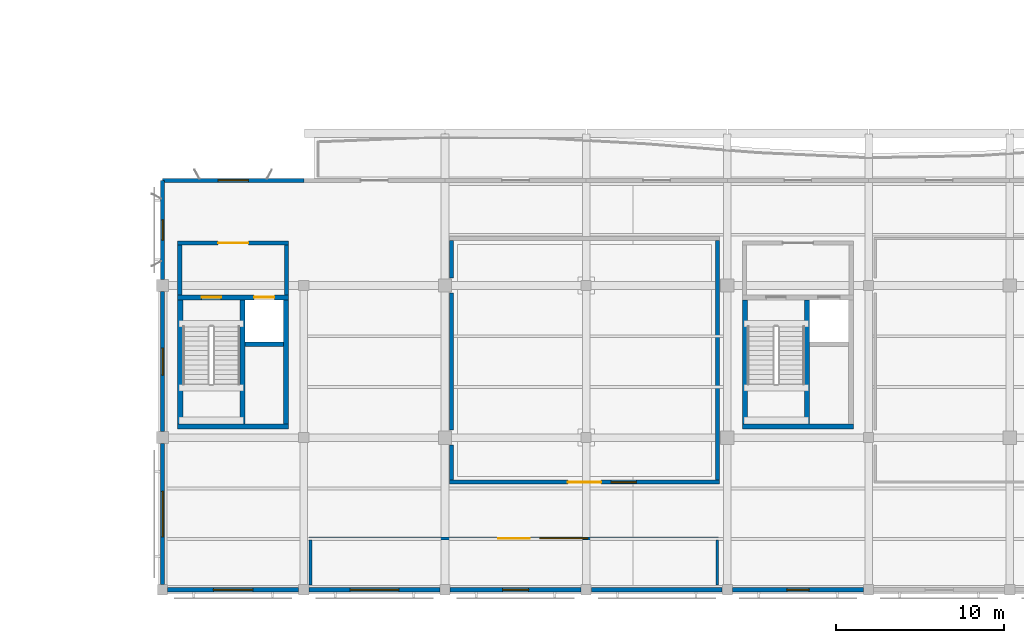
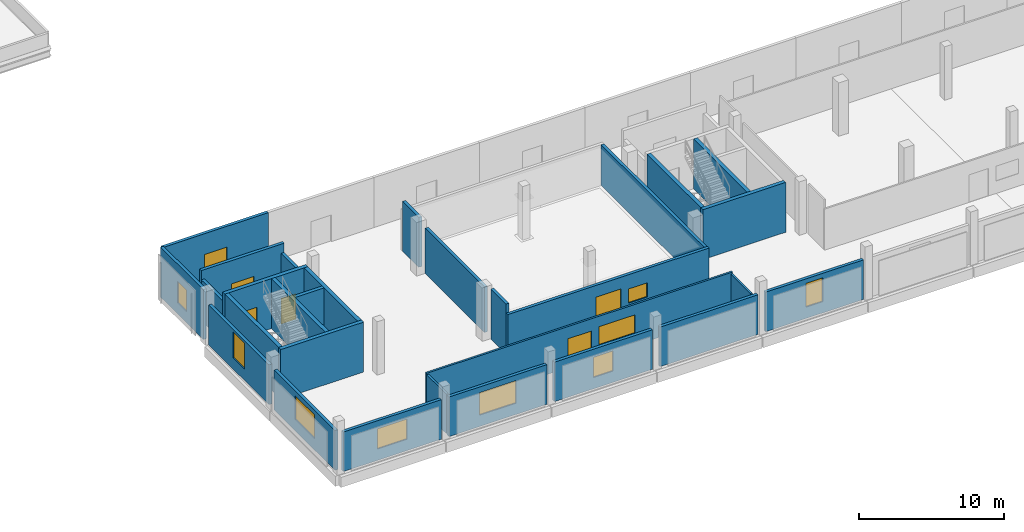
# One storey, part 13 of 34: 29 walls, 10 windows, 5 doors, 15 openings.
"""IFC4 building model written with IfcOpenShell, lengths in metres."""

from ifc_helpers import new_model, si_unit, direction, frame, frame_2d, origin, place, context, subcontext, project, spatial, rectangle, extrude, material, layer, layer_set, type_object, element, fill, save


model = new_model("IFC4")

# Units and contexts
model_context = context("Model", 3, precision=1e-05, world=origin(), true_north=direction((0.0, 1.0)))
body_context = subcontext(model_context, "Body", "Model", "MODEL_VIEW")
ifc_project = project(units=[si_unit("LENGTHUNIT", "METRE"), si_unit("AREAUNIT", "SQUARE_METRE"), si_unit("VOLUMEUNIT", "CUBIC_METRE"), si_unit("PLANEANGLEUNIT", "RADIAN"), si_unit("MASSUNIT", "GRAM", prefix="KILO")], contexts=[model_context])

# Site, building, storey
site_placement = place(None, origin())
site = spatial("IfcSite", under=ifc_project, at=site_placement, CompositionType="ELEMENT")
building_placement = place(site_placement, origin())
building = spatial("IfcBuilding", under=site, at=building_placement, Name="Khurvash Pelagic Aquarium", CompositionType="ELEMENT")
storey_placement = place(building_placement, frame((0.0, 0.0, 15.60009765625)))
storey = spatial("IfcBuildingStorey", under=building, at=storey_placement, Name="L03", CompositionType="ELEMENT", Elevation=15.60009765625)

# Wall, opening, window
ifc_material_1 = material(Name="Glass-fibre reinforced concrete C40/50", Category="concrete")
ifc_layer_1 = layer(ifc_material_1, 0.239990234375)
ifc_layer_set_1 = layer_set([ifc_layer_1], Name="Glass-fibre reinforced concrete C40/50")
wall_type_1 = type_object("IfcWallType", Name="EW-240", PredefinedType="STANDARD", material=ifc_layer_set_1)
wall_1_placement = place(storey_placement, frame((25.5048828125, 2.60009765625, 0.0), z_axis=(0.0, 0.0, 1.0), x_axis=(1.0, 0.0, 0.0)))
wall_1 = element("IfcWall", 1, at=wall_1_placement, inside=storey, type_object=wall_type_1, Name="L03 Exterior Architectural Facade Wall EW-240 0107", PredefinedType="STANDARD", context=body_context, shape_type="SweptSolid", body=[
    extrude(rectangle(XDim=7.7900390625, YDim=0.239990234375, at=frame_2d((3.89501953125, 0.0))), origin(), (0.0, 0.0, 1.0), 3.329833984375),
])
opening_1_placement = place(wall_1_placement, frame((2.719970703125, 0.0, 0.949951171875)))
opening_1 = element("IfcOpeningElement", 2, at=opening_1_placement, cuts=wall_1, Name="Opening WN-24", PredefinedType="OPENING", context=body_context, shape_type="SweptSolid", body=[
    extrude(rectangle(XDim=2.35009765625, YDim=1.699951171875, at=frame_2d((1.175048828125, 0.85009765625))), frame((0.0, 0.1298828125, 0.0), z_axis=(0.0, -1.0, 0.0), x_axis=(1.0, 0.0, 0.0)), (0.0, 0.0, 1.0), 0.260009765625),
])
ifc_material_2 = material(Name="Thermally broken aluminium and low-E glass", Category="aluminium")
window_type_1 = type_object("IfcWindowType", Name="WN-24", PartitioningType="SINGLE_PANEL", PredefinedType="WINDOW", material=ifc_material_2)
window_1_placement = place(opening_1_placement, origin())
window_1 = element("IfcWindow", 3, at=window_1_placement, inside=storey, type_object=window_type_1, Name="L03 Facade Window WN-24 0069", OverallHeight=1.699951171875, OverallWidth=2.35009765625, PartitioningType="SINGLE_PANEL", PredefinedType="WINDOW", context=body_context, shape_type="SweptSolid", body=[
    extrude(rectangle(XDim=2.35009765625, YDim=1.699951171875, at=frame_2d((1.175048828125, 0.85009765625))), frame((0.0, 0.030029296875, 0.0), z_axis=(0.0, -1.0, 0.0), x_axis=(1.0, 0.0, 0.0)), (0.0, 0.0, 1.0), 0.06005859375),
])
fill(opening_1, window_1)

wall_2_placement = place(storey_placement, frame((33.905029296875, 2.60009765625, 0.0), z_axis=(0.0, 0.0, 1.0), x_axis=(1.0, 0.0, 0.0)))
wall_2 = element("IfcWall", 4, at=wall_2_placement, inside=storey, type_object=wall_type_1, Name="L03 Exterior Architectural Facade Wall EW-240 0108", PredefinedType="STANDARD", context=body_context, shape_type="SweptSolid", body=[
    extrude(rectangle(XDim=7.7900390625, YDim=0.239990234375, at=frame_2d((3.89501953125, 0.0))), origin(), (0.0, 0.0, 1.0), 3.329833984375),
])
opening_2_placement = place(wall_2_placement, frame((2.445068359375, 0.0, 0.949951171875)))
opening_2 = element("IfcOpeningElement", 5, at=opening_2_placement, cuts=wall_2, Name="Opening WN-26", PredefinedType="OPENING", context=body_context, shape_type="SweptSolid", body=[
    extrude(rectangle(XDim=2.89990234375, YDim=1.89990234375, at=frame_2d((1.449951171875, 0.949951171875))), frame((0.0, 0.1298828125, 0.0), z_axis=(0.0, -1.0, 0.0), x_axis=(1.0, 0.0, 0.0)), (0.0, 0.0, 1.0), 0.260009765625),
])
window_type_2 = type_object("IfcWindowType", Name="WN-26", PartitioningType="SINGLE_PANEL", PredefinedType="WINDOW", material=ifc_material_2)
window_2_placement = place(opening_2_placement, origin())
window_2 = element("IfcWindow", 6, at=window_2_placement, inside=storey, type_object=window_type_2, Name="L03 Facade Window WN-26 0070", OverallHeight=1.89990234375, OverallWidth=2.89990234375, PartitioningType="SINGLE_PANEL", PredefinedType="WINDOW", context=body_context, shape_type="SweptSolid", body=[
    extrude(rectangle(XDim=2.89990234375, YDim=1.89990234375, at=frame_2d((1.449951171875, 0.949951171875))), frame((0.0, 0.030029296875, 0.0), z_axis=(0.0, -1.0, 0.0), x_axis=(1.0, 0.0, 0.0)), (0.0, 0.0, 1.0), 0.06005859375),
])
fill(opening_2, window_2)

wall_3_placement = place(storey_placement, frame((42.304931640625, 2.60009765625, 0.0), z_axis=(0.0, 0.0, 1.0), x_axis=(1.0, 0.0, 0.0)))
wall_3 = element("IfcWall", 7, at=wall_3_placement, inside=storey, type_object=wall_type_1, Name="L03 Exterior Architectural Facade Wall EW-240 0109", PredefinedType="STANDARD", context=body_context, shape_type="SweptSolid", body=[
    extrude(rectangle(XDim=7.7900390625, YDim=0.239990234375, at=frame_2d((3.89501953125, 0.0))), origin(), (0.0, 0.0, 1.0), 3.329833984375),
])
opening_3_placement = place(wall_3_placement, frame((3.1201171875, 0.0, 0.949951171875)))
opening_3 = element("IfcOpeningElement", 8, at=opening_3_placement, cuts=wall_3, Name="Opening WN-28", PredefinedType="OPENING", context=body_context, shape_type="SweptSolid", body=[
    extrude(rectangle(XDim=1.550048828125, YDim=1.699951171875, at=frame_2d((0.77490234375, 0.85009765625))), frame((0.0, 0.1298828125, 0.0), z_axis=(0.0, -1.0, 0.0), x_axis=(1.0, 0.0, 0.0)), (0.0, 0.0, 1.0), 0.260009765625),
])
window_type_3 = type_object("IfcWindowType", Name="WN-28", PartitioningType="SINGLE_PANEL", PredefinedType="WINDOW", material=ifc_material_2)
window_3_placement = place(opening_3_placement, origin())
window_3 = element("IfcWindow", 9, at=window_3_placement, inside=storey, type_object=window_type_3, Name="L03 Facade Window WN-28 0071", OverallHeight=1.699951171875, OverallWidth=1.550048828125, PartitioningType="SINGLE_PANEL", PredefinedType="WINDOW", context=body_context, shape_type="SweptSolid", body=[
    extrude(rectangle(XDim=1.550048828125, YDim=1.699951171875, at=frame_2d((0.77490234375, 0.85009765625))), frame((0.0, 0.030029296875, 0.0), z_axis=(0.0, -1.0, 0.0), x_axis=(1.0, 0.0, 0.0)), (0.0, 0.0, 1.0), 0.06005859375),
])
fill(opening_3, window_3)

# Wall
wall_4_placement = place(storey_placement, frame((50.705078125, 2.60009765625, 0.0), z_axis=(0.0, 0.0, 1.0), x_axis=(1.0, 0.0, 0.0)))
element("IfcWall", 10, at=wall_4_placement, inside=storey, type_object=wall_type_1, Name="L03 Exterior Architectural Facade Wall EW-240 0110", PredefinedType="STANDARD", context=body_context, shape_type="SweptSolid", body=[
    extrude(rectangle(XDim=7.7900390625, YDim=0.239990234375, at=frame_2d((3.89501953125, 0.0))), origin(), (0.0, 0.0, 1.0), 3.329833984375),
])

# Wall, opening, window
wall_5_placement = place(storey_placement, frame((59.10498046875, 2.60009765625, 0.0), z_axis=(0.0, 0.0, 1.0), x_axis=(1.0, 0.0, 0.0)))
wall_5 = element("IfcWall", 11, at=wall_5_placement, inside=storey, type_object=wall_type_1, Name="L03 Exterior Architectural Facade Wall EW-240 0111", PredefinedType="STANDARD", context=body_context, shape_type="SweptSolid", body=[
    extrude(rectangle(XDim=7.7900390625, YDim=0.239990234375, at=frame_2d((3.89501953125, 0.0))), origin(), (0.0, 0.0, 1.0), 3.329833984375),
])
opening_4_placement = place(wall_5_placement, frame((3.235107421875, 0.0, 0.949951171875)))
opening_4 = element("IfcOpeningElement", 12, at=opening_4_placement, cuts=wall_5, Name="Opening WN-32", PredefinedType="OPENING", context=body_context, shape_type="SweptSolid", body=[
    extrude(rectangle(XDim=1.320068359375, YDim=2.0, at=frame_2d((0.66015625, 1.0))), frame((0.0, 0.1298828125, 0.0), z_axis=(0.0, -1.0, 0.0), x_axis=(1.0, 0.0, 0.0)), (0.0, 0.0, 1.0), 0.260009765625),
])
window_type_4 = type_object("IfcWindowType", Name="WN-32", PartitioningType="SINGLE_PANEL", PredefinedType="WINDOW", material=ifc_material_2)
window_4_placement = place(opening_4_placement, origin())
window_4 = element("IfcWindow", 13, at=window_4_placement, inside=storey, type_object=window_type_4, Name="L03 Facade Window WN-32 0072", OverallHeight=2.0, OverallWidth=1.320068359375, PartitioningType="SINGLE_PANEL", PredefinedType="WINDOW", context=body_context, shape_type="SweptSolid", body=[
    extrude(rectangle(XDim=1.320068359375, YDim=2.0, at=frame_2d((0.66015625, 1.0))), frame((0.0, 0.030029296875, 0.0), z_axis=(0.0, -1.0, 0.0), x_axis=(1.0, 0.0, 0.0)), (0.0, 0.0, 1.0), 0.06005859375),
])
fill(opening_4, window_4)

wall_6_placement = place(storey_placement, frame((33.60009765625, 26.949951171875, 0.0), z_axis=(0.0, 0.0, 1.0), x_axis=(-1.0, 0.0, 0.0)))
wall_6 = element("IfcWall", 14, at=wall_6_placement, inside=storey, type_object=wall_type_1, Name="L03 Exterior Architectural Facade Wall EW-240 0129", PredefinedType="STANDARD", context=body_context, shape_type="SweptSolid", body=[
    extrude(rectangle(XDim=8.400146484375, YDim=0.239990234375, at=frame_2d((4.2001953125, 0.0))), origin(), (0.0, 0.0, 1.0), 4.199951171875),
])
opening_5_placement = place(wall_6_placement, frame((3.300048828125, 0.0, 0.949951171875)))
opening_5 = element("IfcOpeningElement", 15, at=opening_5_placement, cuts=wall_6, Name="Opening WN-13", PredefinedType="OPENING", context=body_context, shape_type="SweptSolid", body=[
    extrude(rectangle(XDim=1.800048828125, YDim=1.5, at=frame_2d((0.89990234375, 0.75))), frame((0.0, 0.1298828125, 0.0), z_axis=(0.0, -1.0, 0.0), x_axis=(1.0, 0.0, 0.0)), (0.0, 0.0, 1.0), 0.260009765625),
])
window_type_5 = type_object("IfcWindowType", Name="WN-13", PartitioningType="SINGLE_PANEL", PredefinedType="WINDOW", material=ifc_material_2)
window_5_placement = place(opening_5_placement, origin())
window_5 = element("IfcWindow", 16, at=window_5_placement, inside=storey, type_object=window_type_5, Name="L03 Facade Window WN-13 0080", OverallHeight=1.5, OverallWidth=1.800048828125, PartitioningType="SINGLE_PANEL", PredefinedType="WINDOW", context=body_context, shape_type="SweptSolid", body=[
    extrude(rectangle(XDim=1.800048828125, YDim=1.5, at=frame_2d((0.89990234375, 0.75))), frame((0.0, 0.030029296875, 0.0), z_axis=(0.0, -1.0, 0.0), x_axis=(1.0, 0.0, 0.0)), (0.0, 0.0, 1.0), 0.06005859375),
])
fill(opening_5, window_5)

wall_7_placement = place(storey_placement, frame((25.199951171875, 26.949951171875, 0.0), z_axis=(0.0, 0.0, 1.0), x_axis=(0.0, -1.0, 0.0)))
wall_7 = element("IfcWall", 17, at=wall_7_placement, inside=storey, type_object=wall_type_1, Name="L03 Exterior Architectural Facade Wall EW-240 0130", PredefinedType="STANDARD", context=body_context, shape_type="SweptSolid", body=[
    extrude(rectangle(XDim=5.89501953125, YDim=0.239990234375, at=frame_2d((2.947509765625, 0.0))), origin(), (0.0, 0.0, 1.0), 4.199951171875),
])
opening_6_placement = place(wall_7_placement, frame((2.346923828125, 0.0, 0.949951171875)))
opening_6 = element("IfcOpeningElement", 18, at=opening_6_placement, cuts=wall_7, Name="Opening WN-05", PredefinedType="OPENING", context=body_context, shape_type="SweptSolid", body=[
    extrude(rectangle(XDim=1.199951171875, YDim=1.800048828125, at=frame_2d((0.60009765625, 0.89990234375))), frame((0.0, 0.1298828125, 0.0), z_axis=(0.0, -1.0, 0.0), x_axis=(1.0, 0.0, 0.0)), (0.0, 0.0, 1.0), 0.260009765625),
])
window_type_6 = type_object("IfcWindowType", Name="WN-05", PartitioningType="SINGLE_PANEL", PredefinedType="WINDOW", material=ifc_material_2)
window_6_placement = place(opening_6_placement, origin())
window_6 = element("IfcWindow", 19, at=window_6_placement, inside=storey, type_object=window_type_6, Name="L03 Facade Window WN-05 0081", OverallHeight=1.800048828125, OverallWidth=1.199951171875, PartitioningType="SINGLE_PANEL", PredefinedType="WINDOW", context=body_context, shape_type="SweptSolid", body=[
    extrude(rectangle(XDim=1.199951171875, YDim=1.800048828125, at=frame_2d((0.60009765625, 0.89990234375))), frame((0.0, 0.030029296875, 0.0), z_axis=(0.0, -1.0, 0.0), x_axis=(1.0, 0.0, 0.0)), (0.0, 0.0, 1.0), 0.06005859375),
])
fill(opening_6, window_6)

wall_8_placement = place(storey_placement, frame((25.199951171875, 20.344970703125, 0.0), z_axis=(0.0, 0.0, 1.0), x_axis=(0.0, -1.0, 0.0)))
wall_8 = element("IfcWall", 20, at=wall_8_placement, inside=storey, type_object=wall_type_1, Name="L03 Exterior Architectural Facade Wall EW-240 0131", PredefinedType="STANDARD", context=body_context, shape_type="SweptSolid", body=[
    extrude(rectangle(XDim=8.340087890625, YDim=0.239990234375, at=frame_2d((4.169921875, 0.0))), origin(), (0.0, 0.0, 1.0), 3.349853515625),
])
opening_7_placement = place(wall_8_placement, frame((3.3701171875, 0.0, 0.949951171875)))
opening_7 = element("IfcOpeningElement", 21, at=opening_7_placement, cuts=wall_8, Name="Opening WN-07", PredefinedType="OPENING", context=body_context, shape_type="SweptSolid", body=[
    extrude(rectangle(XDim=1.60009765625, YDim=2.199951171875, at=frame_2d((0.800048828125, 1.10009765625))), frame((0.0, 0.1298828125, 0.0), z_axis=(0.0, -1.0, 0.0), x_axis=(1.0, 0.0, 0.0)), (0.0, 0.0, 1.0), 0.260009765625),
])
window_type_7 = type_object("IfcWindowType", Name="WN-07", PartitioningType="SINGLE_PANEL", PredefinedType="WINDOW", material=ifc_material_2)
window_7_placement = place(opening_7_placement, origin())
window_7 = element("IfcWindow", 22, at=window_7_placement, inside=storey, type_object=window_type_7, Name="L03 Facade Window WN-07 0082", OverallHeight=2.199951171875, OverallWidth=1.60009765625, PartitioningType="SINGLE_PANEL", PredefinedType="WINDOW", context=body_context, shape_type="SweptSolid", body=[
    extrude(rectangle(XDim=1.60009765625, YDim=2.199951171875, at=frame_2d((0.800048828125, 1.10009765625))), frame((0.0, 0.030029296875, 0.0), z_axis=(0.0, -1.0, 0.0), x_axis=(1.0, 0.0, 0.0)), (0.0, 0.0, 1.0), 0.06005859375),
])
fill(opening_7, window_7)

wall_9_placement = place(storey_placement, frame((25.199951171875, 11.294921875, 0.0), z_axis=(0.0, 0.0, 1.0), x_axis=(0.0, -1.0, 0.0)))
wall_9 = element("IfcWall", 23, at=wall_9_placement, inside=storey, type_object=wall_type_1, Name="L03 Exterior Architectural Facade Wall EW-240 0132", PredefinedType="STANDARD", context=body_context, shape_type="SweptSolid", body=[
    extrude(rectangle(XDim=8.389892578125, YDim=0.239990234375, at=frame_2d((4.19482421875, 0.0))), origin(), (0.0, 0.0, 1.0), 3.349853515625),
])
opening_8_placement = place(wall_9_placement, frame((2.844970703125, 0.0, 0.949951171875)))
opening_8 = element("IfcOpeningElement", 24, at=opening_8_placement, cuts=wall_9, Name="Opening WN-09", PredefinedType="OPENING", context=body_context, shape_type="SweptSolid", body=[
    extrude(rectangle(XDim=2.699951171875, YDim=2.0, at=frame_2d((1.35009765625, 1.0))), frame((0.0, 0.1298828125, 0.0), z_axis=(0.0, -1.0, 0.0), x_axis=(1.0, 0.0, 0.0)), (0.0, 0.0, 1.0), 0.260009765625),
])
window_type_8 = type_object("IfcWindowType", Name="WN-09", PartitioningType="SINGLE_PANEL", PredefinedType="WINDOW", material=ifc_material_2)
window_8_placement = place(opening_8_placement, origin())
window_8 = element("IfcWindow", 25, at=window_8_placement, inside=storey, type_object=window_type_8, Name="L03 Facade Window WN-09 0083", OverallHeight=2.0, OverallWidth=2.699951171875, PartitioningType="SINGLE_PANEL", PredefinedType="WINDOW", context=body_context, shape_type="SweptSolid", body=[
    extrude(rectangle(XDim=2.699951171875, YDim=2.0, at=frame_2d((1.35009765625, 1.0))), frame((0.0, 0.030029296875, 0.0), z_axis=(0.0, -1.0, 0.0), x_axis=(1.0, 0.0, 0.0)), (0.0, 0.0, 1.0), 0.06005859375),
])
fill(opening_8, window_8)

# Wall, openings, door, window
ifc_material_3 = material(Name="AAC blockwork", Category="masonry")
ifc_layer_2 = layer(ifc_material_3, 0.155029296875)
ifc_layer_set_2 = layer_set([ifc_layer_2], Name="AAC blockwork")
wall_type_2 = type_object("IfcWallType", Name="PW-155", PredefinedType="PARTITIONING", material=ifc_layer_set_2)
wall_10_placement = place(storey_placement, frame((33.922119140625, 5.64990234375, 0.0), z_axis=(0.0, 0.0, 1.0), x_axis=(1.0, 0.0, 0.0)))
wall_10 = element("IfcWall", 26, at=wall_10_placement, inside=storey, type_object=wall_type_2, Name="L03 Abyssal Trench Bioluminescence Gallery Partition Wall PW-155", PredefinedType="PARTITIONING", context=body_context, shape_type="SweptSolid", body=[
    extrude(rectangle(XDim=24.35595703125, YDim=0.155029296875, at=frame_2d((12.177978515625, 0.0))), origin(), (0.0, 0.0, 1.0), 3.449951171875),
])
opening_9_placement = place(wall_10_placement, frame((11.238037109375, 0.0, 0.0)))
opening_9 = element("IfcOpeningElement", 27, at=opening_9_placement, cuts=wall_10, Name="Opening ID-35", PredefinedType="OPENING", context=body_context, shape_type="SweptSolid", body=[
    extrude(rectangle(XDim=1.8798828125, YDim=2.419921875, at=frame_2d((0.93994140625, 1.2099609375))), frame((0.0, 0.08740234375, 0.0), z_axis=(0.0, -1.0, 0.0), x_axis=(1.0, 0.0, 0.0)), (0.0, 0.0, 1.0), 0.175048828125),
])
opening_10_placement = place(wall_10_placement, frame((13.718017578125, 0.0, 1.0498046875)))
opening_10 = element("IfcOpeningElement", 28, at=opening_10_placement, cuts=wall_10, Name="Opening IW-18", PredefinedType="OPENING", context=body_context, shape_type="SweptSolid", body=[
    extrude(rectangle(XDim=2.85009765625, YDim=1.52001953125, at=frame_2d((1.425048828125, 0.760009765625))), frame((0.0, 0.08740234375, 0.0), z_axis=(0.0, -1.0, 0.0), x_axis=(1.0, 0.0, 0.0)), (0.0, 0.0, 1.0), 0.175048828125),
])
ifc_material_4 = material(Name="Abyssal hall double door", Category="wood")
door_type_1 = type_object("IfcDoorType", Name="ID-35", OperationType="DOUBLE_DOOR_SINGLE_SWING", PredefinedType="DOOR", material=ifc_material_4)
door_1_placement = place(opening_9_placement, frame((1.8798828125, 0.0, 0.0), z_axis=(0.0, 0.0, 1.0), x_axis=(-1.0, 0.0, 0.0)))
door_1 = element("IfcDoor", 29, at=door_1_placement, inside=storey, type_object=door_type_1, Name="DR-0198", OperationType="DOUBLE_DOOR_SINGLE_SWING", OverallHeight=2.419921875, OverallWidth=1.8798828125, PredefinedType="DOOR", context=body_context, shape_type="SweptSolid", body=[
    extrude(rectangle(XDim=1.8798828125, YDim=2.419921875, at=frame_2d((0.93994140625, 1.2099609375))), frame((0.0, 0.02490234375, 0.0), z_axis=(0.0, -1.0, 0.0), x_axis=(1.0, 0.0, 0.0)), (0.0, 0.0, 1.0), 0.050048828125),
])
fill(opening_9, door_1)
ifc_material_5 = material(Name="Acoustic laminated interior observation glazing", Category="glass")
window_type_9 = type_object("IfcWindowType", Name="IW-18", PartitioningType="SINGLE_PANEL", PredefinedType="WINDOW", material=ifc_material_5)
window_9_placement = place(opening_10_placement, origin())
window_9 = element("IfcWindow", 30, at=window_9_placement, inside=storey, type_object=window_type_9, Name="L03 Abyssal Trench Bioluminescence Gallery Observation Window IW-18", OverallHeight=1.52001953125, OverallWidth=2.85009765625, PartitioningType="SINGLE_PANEL", PredefinedType="WINDOW", context=body_context, shape_type="SweptSolid", body=[
    extrude(rectangle(XDim=2.85009765625, YDim=1.52001953125, at=frame_2d((1.425048828125, 0.760009765625))), frame((0.0, 0.030029296875, 0.0), z_axis=(0.0, -1.0, 0.0), x_axis=(1.0, 0.0, 0.0)), (0.0, 0.0, 1.0), 0.06005859375),
])
fill(opening_10, window_9)

# Walls
for number, where, z_axis, x_axis, name in (
    (31, (58.199951171875, 2.876953125, 0.0), (0.0, 0.0, 1.0), (0.0, 1.0, 0.0), "L03 Abyssal Trench Bioluminescence Gallery Partition Wall PW-155"),
    (32, (34.0, 2.876953125, 0.0), (0.0, 0.0, 1.0), (0.0, 1.0, 0.0), "L03 Abyssal Trench Bioluminescence Gallery Partition Wall PW-155"),
):
    element("IfcWall", number, at=place(storey_placement, frame(where, z_axis=z_axis, x_axis=x_axis)), inside=storey, type_object=wall_type_2, Name=name, PredefinedType="PARTITIONING", context=body_context, shape_type="SweptSolid", body=[
        extrude(rectangle(XDim=2.696044921875, YDim=0.155029296875, at=frame_2d((1.34814453125, 0.0))), origin(), (0.0, 0.0, 1.0), 3.329833984375),
    ])

# Wall, openings, door, window
ifc_layer_3 = layer(ifc_material_3, 0.235107421875)
ifc_layer_set_3 = layer_set([ifc_layer_3], Name="AAC blockwork")
wall_type_3 = type_object("IfcWallType", Name="PW-235", PredefinedType="PARTITIONING", material=ifc_layer_set_3)
wall_11_placement = place(storey_placement, frame((42.281982421875, 9.0, 0.0), z_axis=(0.0, 0.0, 1.0), x_axis=(1.0, 0.0, 0.0)))
wall_11 = element("IfcWall", 33, at=wall_11_placement, inside=storey, type_object=wall_type_3, Name="L03 Hydrothermal Vent Ecosystems Gallery Partition Wall PW-235", PredefinedType="PARTITIONING", context=body_context, shape_type="SweptSolid", body=[
    extrude(rectangle(XDim=16.0361328125, YDim=0.235107421875, at=frame_2d((8.01806640625, 0.0))), origin(), (0.0, 0.0, 1.0), 3.449951171875),
])
opening_11_placement = place(wall_11_placement, frame((7.028076171875, 0.0, 0.0)))
opening_11 = element("IfcOpeningElement", 34, at=opening_11_placement, cuts=wall_11, Name="Opening ID-36", PredefinedType="OPENING", context=body_context, shape_type="SweptSolid", body=[
    extrude(rectangle(XDim=1.97998046875, YDim=2.4599609375, at=frame_2d((0.989990234375, 1.22998046875))), frame((0.0, 0.12744140625, 0.0), z_axis=(0.0, -1.0, 0.0), x_axis=(1.0, 0.0, 0.0)), (0.0, 0.0, 1.0), 0.255126953125),
])
opening_12_placement = place(wall_11_placement, frame((9.60791015625, 0.0, 1.0498046875)))
opening_12 = element("IfcOpeningElement", 35, at=opening_12_placement, cuts=wall_11, Name="Opening IW-01", PredefinedType="OPENING", context=body_context, shape_type="SweptSolid", body=[
    extrude(rectangle(XDim=1.5, YDim=1.199951171875, at=frame_2d((0.75, 0.60009765625))), frame((0.0, 0.12744140625, 0.0), z_axis=(0.0, -1.0, 0.0), x_axis=(1.0, 0.0, 0.0)), (0.0, 0.0, 1.0), 0.255126953125),
])
ifc_material_6 = material(Name="Wetlands gallery double door", Category="wood")
door_type_2 = type_object("IfcDoorType", Name="ID-36", OperationType="DOUBLE_DOOR_SINGLE_SWING", PredefinedType="DOOR", material=ifc_material_6)
door_2_placement = place(opening_11_placement, origin())
door_2 = element("IfcDoor", 36, at=door_2_placement, inside=storey, type_object=door_type_2, Name="DR-0199", OperationType="DOUBLE_DOOR_SINGLE_SWING", OverallHeight=2.4599609375, OverallWidth=1.97998046875, PredefinedType="DOOR", context=body_context, shape_type="SweptSolid", body=[
    extrude(rectangle(XDim=1.97998046875, YDim=2.4599609375, at=frame_2d((0.989990234375, 1.22998046875))), frame((0.0, 0.02490234375, 0.0), z_axis=(0.0, -1.0, 0.0), x_axis=(1.0, 0.0, 0.0)), (0.0, 0.0, 1.0), 0.050048828125),
])
fill(opening_11, door_2)
window_type_10 = type_object("IfcWindowType", Name="IW-01", PartitioningType="SINGLE_PANEL", PredefinedType="WINDOW", material=ifc_material_5)
window_10_placement = place(opening_12_placement, origin())
window_10 = element("IfcWindow", 37, at=window_10_placement, inside=storey, type_object=window_type_10, Name="L03 Hydrothermal Vent Ecosystems Gallery Observation Window IW-01", OverallHeight=1.199951171875, OverallWidth=1.5, PartitioningType="SINGLE_PANEL", PredefinedType="WINDOW", context=body_context, shape_type="SweptSolid", body=[
    extrude(rectangle(XDim=1.5, YDim=1.199951171875, at=frame_2d((0.75, 0.60009765625))), frame((0.0, 0.030029296875, 0.0), z_axis=(0.0, -1.0, 0.0), x_axis=(1.0, 0.0, 0.0)), (0.0, 0.0, 1.0), 0.06005859375),
])
fill(opening_12, window_10)

# Walls
wall_12_placement = place(storey_placement, frame((58.199951171875, 9.116943359375, 0.0), z_axis=(0.0, 0.0, 1.0), x_axis=(0.0, 1.0, 0.0)))
element("IfcWall", 38, at=wall_12_placement, inside=storey, type_object=wall_type_3, Name="L03 Hydrothermal Vent Ecosystems Gallery Partition Wall PW-235", PredefinedType="PARTITIONING", context=body_context, shape_type="SweptSolid", body=[
    extrude(rectangle(XDim=14.26611328125, YDim=0.235107421875, at=frame_2d((7.133056640625, 0.0))), origin(), (0.0, 0.0, 1.0), 3.429931640625),
])
wall_13_placement = place(storey_placement, frame((42.39990234375, 9.116943359375, 0.0), z_axis=(0.0, 0.0, 1.0), x_axis=(0.0, 1.0, 0.0)))
element("IfcWall", 39, at=wall_13_placement, inside=storey, type_object=wall_type_3, Name="L03 Hydrothermal Vent Ecosystems Gallery Partition Wall PW-235", PredefinedType="PARTITIONING", context=body_context, shape_type="SweptSolid", body=[
    extrude(rectangle(XDim=2.093017578125, YDim=0.235107421875, at=frame_2d((1.04638671875, 0.0))), origin(), (0.0, 0.0, 1.0), 4.199951171875),
])
wall_14_placement = place(storey_placement, frame((42.39990234375, 12.090087890625, 0.0), z_axis=(0.0, 0.0, 1.0), x_axis=(0.0, 1.0, 0.0)))
element("IfcWall", 40, at=wall_14_placement, inside=storey, type_object=wall_type_3, Name="L03 Hydrothermal Vent Ecosystems Gallery Partition Wall PW-235", PredefinedType="PARTITIONING", context=body_context, shape_type="SweptSolid", body=[
    extrude(rectangle(XDim=8.169921875, YDim=0.235107421875, at=frame_2d((4.0849609375, 0.0))), origin(), (0.0, 0.0, 1.0), 3.83984375),
])
wall_15_placement = place(storey_placement, frame((42.39990234375, 21.139892578125, 0.0), z_axis=(0.0, 0.0, 1.0), x_axis=(0.0, 1.0, 0.0)))
element("IfcWall", 41, at=wall_15_placement, inside=storey, type_object=wall_type_3, Name="L03 Hydrothermal Vent Ecosystems Gallery Partition Wall PW-235", PredefinedType="PARTITIONING", context=body_context, shape_type="SweptSolid", body=[
    extrude(rectangle(XDim=2.2431640625, YDim=0.235107421875, at=frame_2d((1.12158203125, 0.0))), origin(), (0.0, 0.0, 1.0), 4.199951171875),
])

# Wall, opening, door
ifc_layer_4 = layer(ifc_material_3, 0.25)
ifc_layer_set_4 = layer_set([ifc_layer_4], Name="AAC blockwork")
wall_type_4 = type_object("IfcWallType", Name="PW-250", PredefinedType="PARTITIONING", material=ifc_layer_set_4)
wall_16_placement = place(storey_placement, frame((26.10009765625, 23.22509765625, 0.0), z_axis=(0.0, 0.0, 1.0), x_axis=(1.0, 0.0, 0.0)))
wall_16 = element("IfcWall", 42, at=wall_16_placement, inside=storey, type_object=wall_type_4, Name="L03 Core C1 Lobby Front Fire Wall PW-250", PredefinedType="PARTITIONING", context=body_context, shape_type="SweptSolid", body=[
    extrude(rectangle(XDim=6.599853515625, YDim=0.25, at=frame_2d((3.2998046875, 0.0))), origin(), (0.0, 0.0, 1.0), 4.199951171875),
])
opening_13_placement = place(wall_16_placement, frame((2.39990234375, 0.0, 0.0)))
opening_13 = element("IfcOpeningElement", 43, at=opening_13_placement, cuts=wall_16, Name="Opening FD-02", PredefinedType="OPENING", context=body_context, shape_type="SweptSolid", body=[
    extrude(rectangle(XDim=1.800048828125, YDim=2.25, at=frame_2d((0.89990234375, 1.125))), frame((0.0, 0.135009765625, 0.0), z_axis=(0.0, -1.0, 0.0), x_axis=(1.0, 0.0, 0.0)), (0.0, 0.0, 1.0), 0.27001953125),
])
ifc_material_7 = material(Name="Galvanised steel double fire door", Category="steel")
door_type_3 = type_object("IfcDoorType", Name="FD-02", OperationType="DOUBLE_DOOR_SINGLE_SWING", PredefinedType="DOOR", material=ifc_material_7)
door_3_placement = place(opening_13_placement, origin())
door_3 = element("IfcDoor", 44, at=door_3_placement, inside=storey, type_object=door_type_3, Name="DR-0207", OperationType="DOUBLE_DOOR_SINGLE_SWING", OverallHeight=2.25, OverallWidth=1.800048828125, PredefinedType="DOOR", context=body_context, shape_type="SweptSolid", body=[
    extrude(rectangle(XDim=1.800048828125, YDim=2.25, at=frame_2d((0.89990234375, 1.125))), frame((0.0, 0.02490234375, 0.0), z_axis=(0.0, -1.0, 0.0), x_axis=(1.0, 0.0, 0.0)), (0.0, 0.0, 1.0), 0.050048828125),
])
fill(opening_13, door_3)

# Walls
for number, where, z_axis, x_axis, name in (
    (45, (26.22509765625, 20.14990234375, 0.0), (0.0, 0.0, 1.0), (0.0, 1.0, 0.0), "L03 Core C1 Lobby West Fire Wall PW-250"),
    (46, (32.574951171875, 20.14990234375, 0.0), (0.0, 0.0, 1.0), (0.0, 1.0, 0.0), "L03 Core C1 Lobby East Fire Wall PW-250"),
):
    element("IfcWall", number, at=place(storey_placement, frame(where, z_axis=z_axis, x_axis=x_axis)), inside=storey, type_object=wall_type_4, Name=name, PredefinedType="PARTITIONING", context=body_context, shape_type="SweptSolid", body=[
        extrude(rectangle(XDim=2.9501953125, YDim=0.25, at=frame_2d((1.47509765625, 0.0))), origin(), (0.0, 0.0, 1.0), 3.429931640625),
    ])
ifc_material_8 = material(Name="Concrete C40/50", Category="concrete")
ifc_layer_5 = layer(ifc_material_8, 0.27490234375)
ifc_layer_set_5 = layer_set([ifc_layer_5], Name="Concrete C40/50")
wall_type_5 = type_object("IfcWallType", Name="SW-275", PredefinedType="SHEAR", material=ifc_layer_set_5)
wall_17_placement = place(storey_placement, frame((30.10009765625, 17.212890625, 0.0), z_axis=(0.0, 0.0, 1.0), x_axis=(1.0, 0.0, 0.0)))
element("IfcWall", 47, at=wall_17_placement, inside=storey, type_object=wall_type_5, Name="L03 Lift FL-01 Shaft Rear Shear Wall SW-275", PredefinedType="SHEAR", context=body_context, shape_type="SweptSolid", body=[
    extrude(rectangle(XDim=2.2998046875, YDim=0.27490234375, at=frame_2d((1.14990234375, 0.0))), origin(), (0.0, 0.0, 1.0), 4.199951171875),
])
ifc_layer_6 = layer(ifc_material_8, 0.300048828125)
ifc_layer_set_6 = layer_set([ifc_layer_6], Name="Concrete C40/50")
wall_type_6 = type_object("IfcWallType", Name="SW-300", PredefinedType="SHEAR", material=ifc_layer_set_6)
wall_18_placement = place(storey_placement, frame((26.10009765625, 12.300048828125, 0.0), z_axis=(0.0, 0.0, 1.0), x_axis=(1.0, 0.0, 0.0)))
element("IfcWall", 48, at=wall_18_placement, inside=storey, type_object=wall_type_6, Name="L03 Core C1 South Shear Wall SW-300", PredefinedType="SHEAR", context=body_context, shape_type="SweptSolid", body=[
    extrude(rectangle(XDim=6.599853515625, YDim=0.300048828125, at=frame_2d((3.2998046875, 0.0))), origin(), (0.0, 0.0, 1.0), 4.199951171875),
])

# Wall, openings, doors
wall_19_placement = place(storey_placement, frame((26.10009765625, 20.0, 0.0), z_axis=(0.0, 0.0, 1.0), x_axis=(1.0, 0.0, 0.0)))
wall_19 = element("IfcWall", 49, at=wall_19_placement, inside=storey, type_object=wall_type_6, Name="L03 Core C1 North Shear Wall SW-300", PredefinedType="SHEAR", context=body_context, shape_type="SweptSolid", body=[
    extrude(rectangle(XDim=6.599853515625, YDim=0.300048828125, at=frame_2d((3.2998046875, 0.0))), origin(), (0.0, 0.0, 1.0), 4.199951171875),
])
opening_14_placement = place(wall_19_placement, frame((1.425048828125, 0.0, 0.0)))
opening_14 = element("IfcOpeningElement", 50, at=opening_14_placement, cuts=wall_19, Name="Opening FD-01", PredefinedType="OPENING", context=body_context, shape_type="SweptSolid", body=[
    extrude(rectangle(XDim=1.14990234375, YDim=2.199951171875, at=frame_2d((0.574951171875, 1.10009765625))), frame((0.0, 0.16015625, 0.0), z_axis=(0.0, -1.0, 0.0), x_axis=(1.0, 0.0, 0.0)), (0.0, 0.0, 1.0), 0.320068359375),
])
opening_15_placement = place(wall_19_placement, frame((4.550048828125, 0.0, 0.0)))
opening_15 = element("IfcOpeningElement", 51, at=opening_15_placement, cuts=wall_19, Name="Opening LD-01", PredefinedType="OPENING", context=body_context, shape_type="SweptSolid", body=[
    extrude(rectangle(XDim=1.199951171875, YDim=2.14990234375, at=frame_2d((0.60009765625, 1.074951171875))), frame((0.0, 0.16015625, 0.0), z_axis=(0.0, -1.0, 0.0), x_axis=(1.0, 0.0, 0.0)), (0.0, 0.0, 1.0), 0.320068359375),
])
ifc_material_9 = material(Name="Galvanised steel fire door", Category="steel")
door_type_4 = type_object("IfcDoorType", Name="FD-01", OperationType="NOTDEFINED", PredefinedType="DOOR", material=ifc_material_9)
door_4_placement = place(opening_14_placement, frame((1.14990234375, 0.0, 0.0), z_axis=(0.0, 0.0, 1.0), x_axis=(-1.0, 0.0, 0.0)))
door_4 = element("IfcDoor", 52, at=door_4_placement, inside=storey, type_object=door_type_4, Name="DR-0172", OperationType="SINGLE_SWING_LEFT", OverallHeight=2.199951171875, OverallWidth=1.14990234375, PredefinedType="DOOR", context=body_context, shape_type="SweptSolid", body=[
    extrude(rectangle(XDim=1.14990234375, YDim=2.199951171875, at=frame_2d((0.574951171875, 1.10009765625))), frame((0.0, 0.02490234375, 0.0), z_axis=(0.0, -1.0, 0.0), x_axis=(1.0, 0.0, 0.0)), (0.0, 0.0, 1.0), 0.050048828125),
])
fill(opening_14, door_4)
ifc_material_10 = material(Name="Brushed stainless steel 316 lift landing door", Category="steel")
door_type_5 = type_object("IfcDoorType", Name="LD-01", OperationType="DOUBLE_DOOR_SLIDING", PredefinedType="DOOR", material=ifc_material_10)
door_5_placement = place(opening_15_placement, origin())
door_5 = element("IfcDoor", 53, at=door_5_placement, inside=storey, type_object=door_type_5, Name="DR-0178", OperationType="DOUBLE_DOOR_SLIDING", OverallHeight=2.14990234375, OverallWidth=1.199951171875, PredefinedType="DOOR", context=body_context, shape_type="SweptSolid", body=[
    extrude(rectangle(XDim=1.199951171875, YDim=2.14990234375, at=frame_2d((0.60009765625, 1.074951171875))), frame((0.0, 0.02490234375, 0.0), z_axis=(0.0, -1.0, 0.0), x_axis=(1.0, 0.0, 0.0)), (0.0, 0.0, 1.0), 0.050048828125),
])
fill(opening_15, door_5)

# Walls
for number, where, z_axis, x_axis, name in (
    (54, (26.25, 12.449951171875, 0.0), (0.0, 0.0, 1.0), (0.0, 1.0, 0.0), "L03 Core C1 West Shear Wall SW-300"),
    (55, (32.550048828125, 12.449951171875, 0.0), (0.0, 0.0, 1.0), (0.0, 1.0, 0.0), "L03 Core C1 East Shear Wall SW-300"),
    (56, (29.949951171875, 12.449951171875, 0.0), (0.0, 0.0, 1.0), (0.0, 1.0, 0.0), "L03 Core C1 Divider Shear Wall SW-300"),
):
    element("IfcWall", number, at=place(storey_placement, frame(where, z_axis=z_axis, x_axis=x_axis)), inside=storey, type_object=wall_type_6, Name=name, PredefinedType="SHEAR", context=body_context, shape_type="SweptSolid", body=[
        extrude(rectangle(XDim=7.400146484375, YDim=0.300048828125, at=frame_2d((3.7001953125, 0.0))), origin(), (0.0, 0.0, 1.0), 4.199951171875),
    ])
wall_20_placement = place(storey_placement, frame((59.699951171875, 12.300048828125, 0.0), z_axis=(0.0, 0.0, 1.0), x_axis=(1.0, 0.0, 0.0)))
element("IfcWall", 57, at=wall_20_placement, inside=storey, type_object=wall_type_6, Name="L03 Core C2 South Shear Wall SW-300", PredefinedType="SHEAR", context=body_context, shape_type="SweptSolid", body=[
    extrude(rectangle(XDim=6.60009765625, YDim=0.300048828125, at=frame_2d((3.300048828125, 0.0))), origin(), (0.0, 0.0, 1.0), 4.199951171875),
])
for number, where, z_axis, x_axis, name in (
    (58, (59.85009765625, 12.449951171875, 0.0), (0.0, 0.0, 1.0), (0.0, 1.0, 0.0), "L03 Core C2 West Shear Wall SW-300"),
    (59, (63.550048828125, 12.449951171875, 0.0), (0.0, 0.0, 1.0), (0.0, 1.0, 0.0), "L03 Core C2 Divider Shear Wall SW-300"),
):
    element("IfcWall", number, at=place(storey_placement, frame(where, z_axis=z_axis, x_axis=x_axis)), inside=storey, type_object=wall_type_6, Name=name, PredefinedType="SHEAR", context=body_context, shape_type="SweptSolid", body=[
        extrude(rectangle(XDim=7.400146484375, YDim=0.300048828125, at=frame_2d((3.7001953125, 0.0))), origin(), (0.0, 0.0, 1.0), 4.199951171875),
    ])

save(model, "model.ifc")
